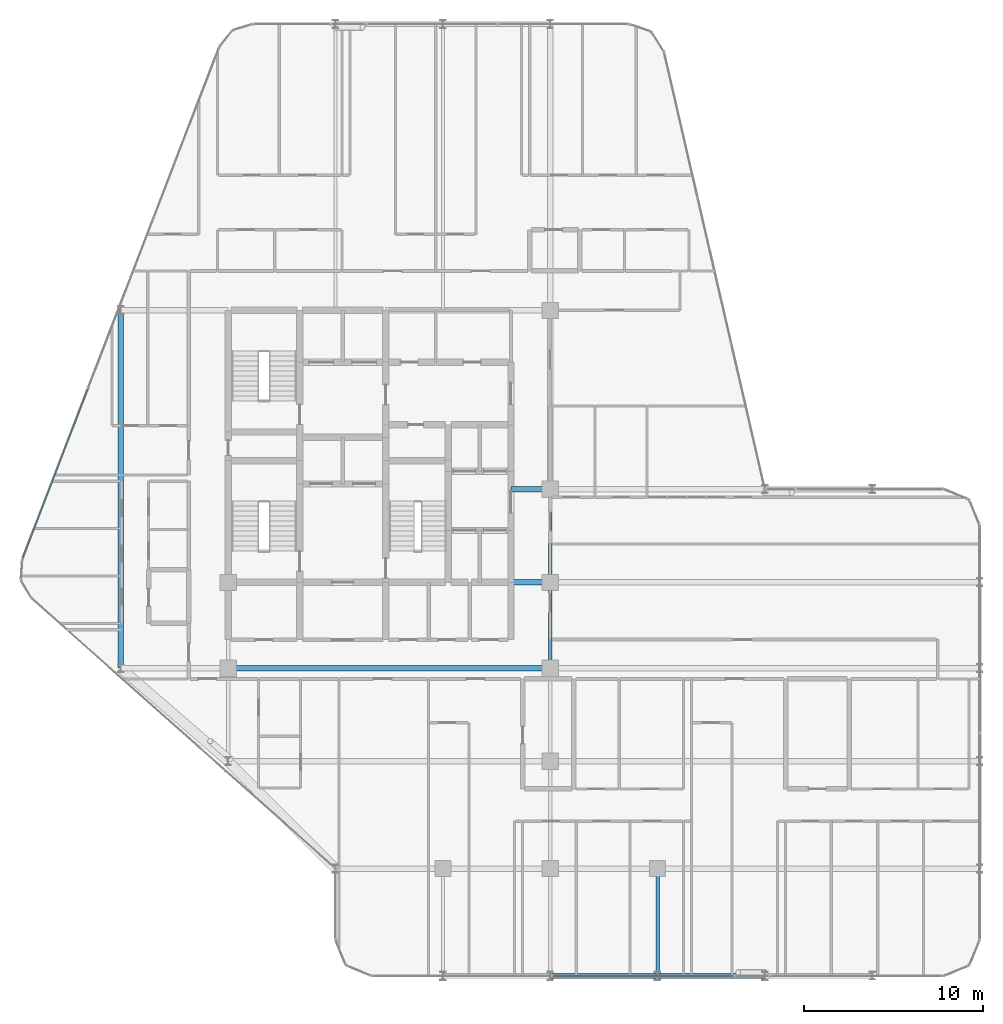
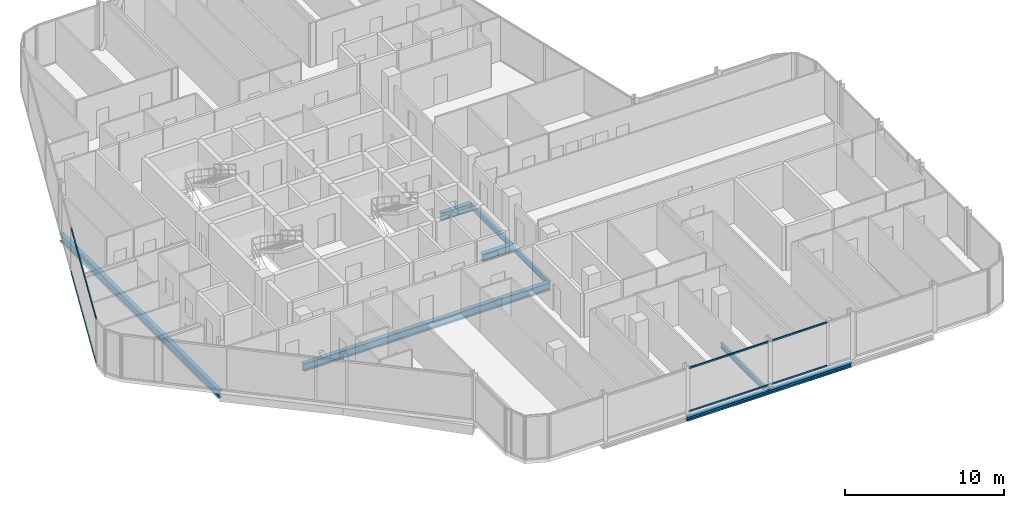
# One storey, part 9 of 29: 9 beams, 4 members, 2 elements without a shape of their own.
"""IFC4 building model written with IfcOpenShell, lengths in metres."""

from ifc_helpers import new_model, si_unit, direction, frame, origin, origin_2d, place, context, subcontext, project, spatial, hollow_rectangle, i_section, extrude, material, layer, layer_set, material_profile, profile_set, type_object, element, aggregate, save


model = new_model("IFC4")

# Units and contexts
model_context = context("Model", 3, precision=1e-05, world=origin(), true_north=direction((0.0, 1.0)))
body_context = subcontext(model_context, "Body", "Model", "MODEL_VIEW")
ifc_project = project(units=[si_unit("LENGTHUNIT", "METRE"), si_unit("AREAUNIT", "SQUARE_METRE"), si_unit("VOLUMEUNIT", "CUBIC_METRE"), si_unit("PLANEANGLEUNIT", "RADIAN"), si_unit("MASSUNIT", "GRAM", prefix="KILO")], contexts=[model_context])

# Site, building, storey
site_placement = place(None, origin())
site = spatial("IfcSite", under=ifc_project, at=site_placement, CompositionType="ELEMENT")
building_placement = place(site_placement, origin())
building = spatial("IfcBuilding", under=site, at=building_placement, Name="Keshet Zoharim Tower", CompositionType="ELEMENT")
storey_placement = place(building_placement, frame((0.0, 0.0, 192.10009765625)))
storey = spatial("IfcBuildingStorey", under=building, at=storey_placement, Name="L47", CompositionType="ELEMENT", Elevation=192.10009765625)

# Beams
ifc_material_1 = material(Name="Steel S355", Category="steel")
ifc_material_profile_1 = material_profile(ifc_material_1, i_section(OverallWidth=0.300048828125, OverallDepth=0.60009765625, WebThickness=0.015380859375, FlangeThickness=0.030029296875, FilletRadius=0.027099609375, at=origin_2d()), Name="HEB600")
ifc_profile_set_1 = profile_set([ifc_material_profile_1], Name="Steel S355")
beam_type_1 = type_object("IfcBeamType", Name="BM-CLK-HB600", PredefinedType="BEAM", material=ifc_profile_set_1)
for number, where, z_axis, x_axis, name in (
    (1, (30.800048828125, 22.699951171875, -0.610107421875), (1.0, 0.0, 0.0), (0.0, 1.0, 0.0), "L47 Core Wall Link Girder 01"),
    (2, (30.800048828125, 27.89990234375, -0.610107421875), (1.0, 0.0, 0.0), (0.0, 1.0, 0.0), "L47 Core Wall Link Girder 02"),
):
    element("IfcBeam", number, at=place(storey_placement, frame(where, z_axis=z_axis, x_axis=x_axis)), inside=storey, type_object=beam_type_1, Name=name, PredefinedType="BEAM", context=body_context, shape_type="SweptSolid", body=[
        extrude(i_section(OverallWidth=0.300048828125, OverallDepth=0.60009765625, WebThickness=0.015380859375, FlangeThickness=0.030029296875, FilletRadius=0.027099609375, at=origin_2d()), origin(), (0.0, 0.0, 1.0), 2.199951171875),
    ])
ifc_material_profile_2 = material_profile(ifc_material_1, i_section(OverallWidth=0.300048828125, OverallDepth=0.60009765625, WebThickness=0.015380859375, FlangeThickness=0.030029296875, FilletRadius=0.027099609375, at=origin_2d()), Name="HEB600")
ifc_profile_set_2 = profile_set([ifc_material_profile_2], Name="Steel S355")
beam_type_2 = type_object("IfcBeamType", Name="BM-LNG-HB600", PredefinedType="BEAM", material=ifc_profile_set_2)
beam_1_placement = place(storey_placement, frame((15.0, 17.89990234375, -0.610107421875), z_axis=(1.0, 0.0, 0.0), x_axis=(0.0, 1.0, 0.0)))
element("IfcBeam", 3, at=beam_1_placement, inside=storey, type_object=beam_type_2, Name="L47 Primary Girder X-012", PredefinedType="BEAM", context=body_context, shape_type="SweptSolid", body=[
    extrude(i_section(OverallWidth=0.300048828125, OverallDepth=0.60009765625, WebThickness=0.015380859375, FlangeThickness=0.030029296875, FilletRadius=0.027099609375, at=origin_2d()), origin(), (0.0, 0.0, 1.0), 18.0),
])
beam_2_placement = place(storey_placement, frame((9.0, 17.89990234375, -0.610107421875), z_axis=(0.0, 1.0, 0.0), x_axis=(-1.0, 0.0, 0.0)))
element("IfcBeam", 4, at=beam_2_placement, inside=storey, type_object=beam_type_2, Name="L47 Primary Girder Y-001", PredefinedType="BEAM", context=body_context, shape_type="SweptSolid", body=[
    extrude(i_section(OverallWidth=0.300048828125, OverallDepth=0.60009765625, WebThickness=0.015380859375, FlangeThickness=0.030029296875, FilletRadius=0.027099609375, at=origin_2d()), origin(), (0.0, 0.0, 1.0), 20.0),
])
ifc_material_profile_3 = material_profile(ifc_material_1, i_section(OverallWidth=0.300048828125, OverallDepth=0.300048828125, WebThickness=0.010986328125, FlangeThickness=0.01904296875, FilletRadius=0.027099609375, at=origin_2d()), Name="HEB300")
ifc_profile_set_3 = profile_set([ifc_material_profile_3], Name="Steel S355")
beam_type_3 = type_object("IfcBeamType", Name="BM-PRI-HB300", PredefinedType="BEAM", material=ifc_profile_set_3)
for number, where, z_axis, x_axis, name in (
    (5, (33.0, 0.699951171875, -0.460205078125), (1.0, 0.0, 0.0), (0.0, 1.0, 0.0), "L47 Primary Girder X-002"),
    (6, (39.0, 0.699951171875, -0.460205078125), (1.0, 0.0, 0.0), (0.0, 1.0, 0.0), "L47 Primary Girder X-003"),
):
    element("IfcBeam", number, at=place(storey_placement, frame(where, z_axis=z_axis, x_axis=x_axis)), inside=storey, type_object=beam_type_3, Name=name, PredefinedType="BEAM", context=body_context, shape_type="SweptSolid", body=[
        extrude(i_section(OverallWidth=0.300048828125, OverallDepth=0.300048828125, WebThickness=0.010986328125, FlangeThickness=0.01904296875, FilletRadius=0.027099609375, at=origin_2d()), origin(), (0.0, 0.0, 1.0), 6.0),
    ])
ifc_material_profile_4 = material_profile(ifc_material_1, i_section(OverallWidth=0.179931640625, OverallDepth=0.39990234375, WebThickness=0.008544921875, FlangeThickness=0.013427734375, FilletRadius=0.02099609375, at=origin_2d()), Name="IPE400")
ifc_profile_set_4 = profile_set([ifc_material_profile_4], Name="Steel S355")
beam_type_4 = type_object("IfcBeamType", Name="BM-PRI-IP400", PredefinedType="BEAM", material=ifc_profile_set_4)
beam_3_placement = place(storey_placement, frame((33.0, 17.89990234375, -0.510009765625), z_axis=(0.0, 1.0, 0.0), x_axis=(-1.0, 0.0, 0.0)))
element("IfcBeam", 7, at=beam_3_placement, inside=storey, type_object=beam_type_4, Name="L47 Primary Girder Y-008", PredefinedType="BEAM", context=body_context, shape_type="SweptSolid", body=[
    extrude(i_section(OverallWidth=0.179931640625, OverallDepth=0.39990234375, WebThickness=0.008544921875, FlangeThickness=0.013427734375, FilletRadius=0.02099609375, at=origin_2d()), origin(), (0.0, 0.0, 1.0), 4.800048828125),
])
beam_4_placement = place(storey_placement, frame((33.0, 22.699951171875, -0.510009765625), z_axis=(0.0, 1.0, 0.0), x_axis=(-1.0, 0.0, 0.0)))
element("IfcBeam", 8, at=beam_4_placement, inside=storey, type_object=beam_type_4, Name="L47 Primary Girder Y-009", PredefinedType="BEAM", context=body_context, shape_type="SweptSolid", body=[
    extrude(i_section(OverallWidth=0.179931640625, OverallDepth=0.39990234375, WebThickness=0.008544921875, FlangeThickness=0.013427734375, FilletRadius=0.02099609375, at=origin_2d()), origin(), (0.0, 0.0, 1.0), 5.199951171875),
])
beam_5_placement = place(storey_placement, frame((39.0, 0.699951171875, -0.510009765625), z_axis=(0.0, 1.0, 0.0), x_axis=(-1.0, 0.0, 0.0)))
element("IfcBeam", 9, at=beam_5_placement, inside=storey, type_object=beam_type_4, Name="L47 Primary Girder Y-012", PredefinedType="BEAM", context=body_context, shape_type="SweptSolid", body=[
    extrude(i_section(OverallWidth=0.179931640625, OverallDepth=0.39990234375, WebThickness=0.008544921875, FlangeThickness=0.013427734375, FilletRadius=0.02099609375, at=origin_2d()), origin(), (0.0, 0.0, 1.0), 6.0),
])

# Curtain wall, members
ifc_material_2 = material(Name="Aluminium 6063-T6", Category="aluminium")
ifc_layer = layer(ifc_material_2, 0.139892578125)
ifc_layer_set = layer_set([ifc_layer], Name="Aluminium 6063-T6")
curtain_wall_type = type_object("IfcCurtainWallType", Name="CW-SYS-05", PredefinedType="NOTDEFINED", material=ifc_layer_set)
curtain_wall_1_placement = place(storey_placement, origin())
curtain_wall_1 = element("IfcCurtainWall", 10, at=curtain_wall_1_placement, inside=storey, type_object=curtain_wall_type, Name="L47 Unitised Curtain Wall 06 Part 3", PredefinedType="NOTDEFINED")
ifc_material_profile_5 = material_profile(ifc_material_2, hollow_rectangle(XDim=0.074951171875, YDim=0.1201171875, WallThickness=0.00390625, at=origin_2d()), Name="TRN-75x120")
ifc_profile_set_5 = profile_set([ifc_material_profile_5], Name="Aluminium 6063-T6")
member_type = type_object("IfcMemberType", Name="CWT-T12", PredefinedType="USERDEFINED", material=ifc_profile_set_5)
member_1_placement = place(storey_placement, frame((43.251953125, 0.699951171875, 0.034912109375), z_axis=(-1.0, 0.0, 0.0), x_axis=(0.0, -1.0, 0.0)))
member_1 = element("IfcMember", 11, at=member_1_placement, type_object=member_type, Name="CW-05 transom 1.1", ObjectType="TRANSOM", PredefinedType="USERDEFINED", context=body_context, shape_type="SweptSolid", body=[
    extrude(hollow_rectangle(XDim=0.074951171875, YDim=0.1201171875, WallThickness=0.00390625, at=origin_2d()), origin(), (0.0, 0.0, 1.0), 10.091064453125),
])
member_2_placement = place(storey_placement, frame((43.251953125, 0.699951171875, 3.35498046875), z_axis=(-1.0, 0.0, 0.0), x_axis=(0.0, -1.0, 0.0)))
member_2 = element("IfcMember", 12, at=member_2_placement, type_object=member_type, Name="CW-05 transom 1.2", ObjectType="TRANSOM", PredefinedType="USERDEFINED", context=body_context, shape_type="SweptSolid", body=[
    extrude(hollow_rectangle(XDim=0.074951171875, YDim=0.1201171875, WallThickness=0.00390625, at=origin_2d()), origin(), (0.0, 0.0, 1.0), 10.091064453125),
])
aggregate(curtain_wall_1, [member_1, member_2])

curtain_wall_2_placement = place(storey_placement, origin())
curtain_wall_2 = element("IfcCurtainWall", 13, at=curtain_wall_2_placement, inside=storey, type_object=curtain_wall_type, Name="L47 Unitised Curtain Wall 13", PredefinedType="NOTDEFINED")
member_3_placement = place(storey_placement, frame((3.522216796875, 24.058349609375, 0.034912109375), z_axis=(0.358993631387, 0.93334000912, 0.0), x_axis=(-0.93334000912, 0.358993631387, 0.0)))
member_3 = element("IfcMember", 14, at=member_3_placement, type_object=member_type, Name="CW-05 transom 1.1", ObjectType="TRANSOM", PredefinedType="USERDEFINED", context=body_context, shape_type="SweptSolid", body=[
    extrude(hollow_rectangle(XDim=0.074951171875, YDim=0.1201171875, WallThickness=0.00390625, at=origin_2d()), origin(), (0.0, 0.0, 1.0), 10.1181640625),
])
member_4_placement = place(storey_placement, frame((3.522216796875, 24.058349609375, 3.35498046875), z_axis=(0.358993631387, 0.93334000912, 0.0), x_axis=(-0.93334000912, 0.358993631387, 0.0)))
member_4 = element("IfcMember", 15, at=member_4_placement, type_object=member_type, Name="CW-05 transom 1.2", ObjectType="TRANSOM", PredefinedType="USERDEFINED", context=body_context, shape_type="SweptSolid", body=[
    extrude(hollow_rectangle(XDim=0.074951171875, YDim=0.1201171875, WallThickness=0.00390625, at=origin_2d()), origin(), (0.0, 0.0, 1.0), 10.1181640625),
])
aggregate(curtain_wall_2, [member_3, member_4])

save(model, "model.ifc")
